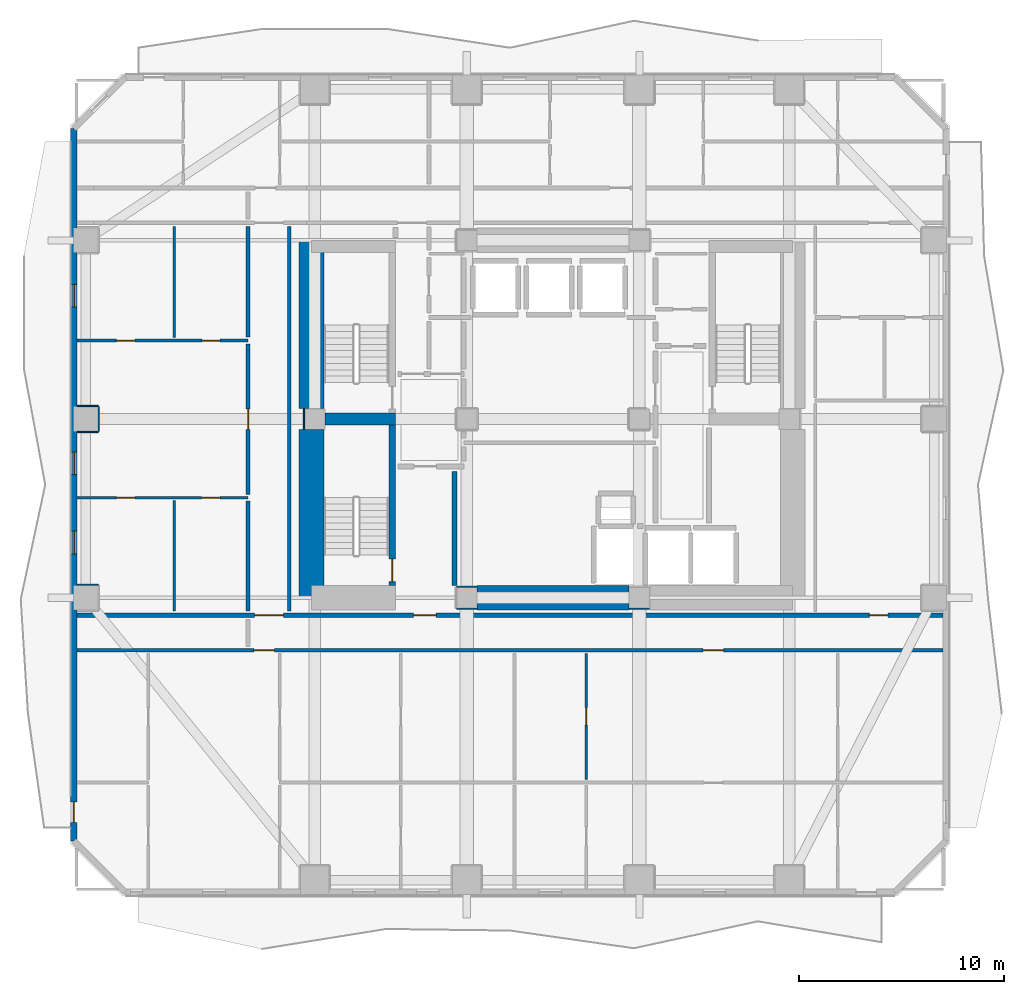
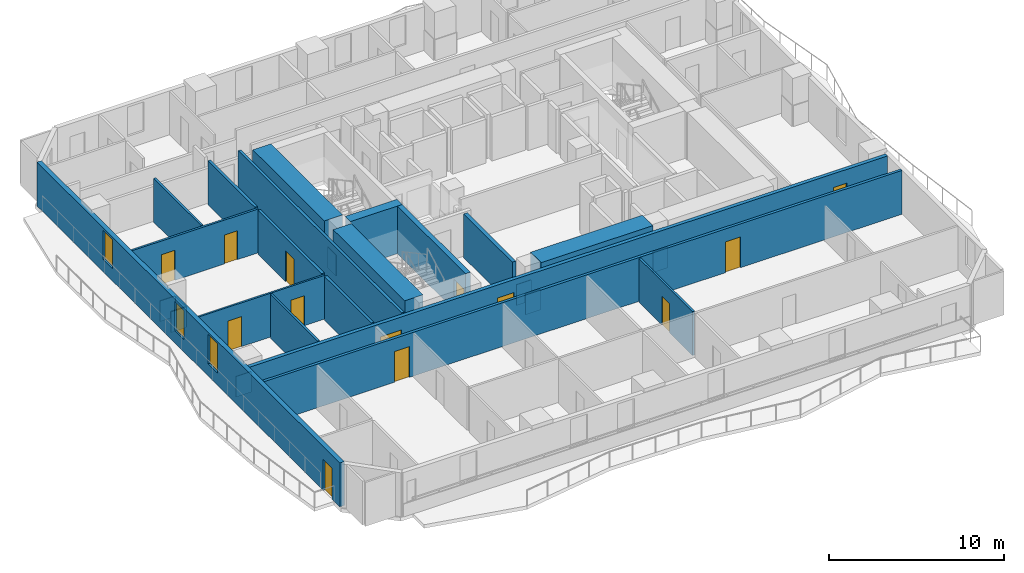
# One storey, part 3 of 11: 26 walls, 13 doors, 3 windows, 16 openings.
"""IFC4 building model written with IfcOpenShell, lengths in metres."""

from ifc_helpers import new_model, si_unit, direction, frame, frame_2d, origin, place, context, subcontext, project, spatial, rectangle, extrude, material, layer, layer_set, type_object, element, fill, save


model = new_model("IFC4")

# Units and contexts
model_context = context("Model", 3, precision=1e-05, world=origin(), true_north=direction((0.0, 1.0)))
body_context = subcontext(model_context, "Body", "Model", "MODEL_VIEW")
ifc_project = project(units=[si_unit("LENGTHUNIT", "METRE"), si_unit("AREAUNIT", "SQUARE_METRE"), si_unit("VOLUMEUNIT", "CUBIC_METRE"), si_unit("PLANEANGLEUNIT", "RADIAN"), si_unit("MASSUNIT", "GRAM", prefix="KILO")], contexts=[model_context])

# Site, building, storey
site_placement = place(None, origin())
site = spatial("IfcSite", under=ifc_project, at=site_placement, CompositionType="ELEMENT")
building_placement = place(site_placement, origin())
building = spatial("IfcBuilding", under=site, at=building_placement, Name="Solanera Arch Residences", CompositionType="ELEMENT")
storey_placement = place(building_placement, frame((0.0, 0.0, 35.280029296875)))
storey = spatial("IfcBuildingStorey", under=building, at=storey_placement, Name="L09", CompositionType="ELEMENT", Elevation=35.280029296875)

# Walls
ifc_material_1 = material(Name="Fire-Rated Gypsum Stud Partition", Category="gypsum")
ifc_layer_1 = layer(ifc_material_1, 0.06005859375)
ifc_layer_set_1 = layer_set([ifc_layer_1], Name="Fire-Rated Gypsum Stud Partition")
wall_type_1 = type_object("IfcWallType", Name="Column Acoustic Furring Wall 60", PredefinedType="PARTITIONING", material=ifc_layer_set_1)
for number, where, z_axis, x_axis, name in (
    (1, (20.300048828125, 21.468017578125, 0.0), (0.0, 0.0, 1.0), (1.0, 0.0, 0.0), "L09 Column Furring 1S"),
    (2, (20.300048828125, 22.531982421875, 0.0), (0.0, 0.0, 1.0), (1.0, 0.0, 0.0), "L09 Column Furring 1N"),
):
    element("IfcWall", number, at=place(storey_placement, frame(where, z_axis=z_axis, x_axis=x_axis)), inside=storey, type_object=wall_type_1, Name=name, PredefinedType="PARTITIONING", context=body_context, shape_type="SweptSolid", body=[
        extrude(rectangle(XDim=0.989990234375, YDim=0.06005859375, at=frame_2d((0.4951171875, 0.0))), origin(), (0.0, 0.0, 1.0), 1.449951171875),
    ])
for number, where, z_axis, x_axis, name in (
    (3, (28.7099609375, 21.468017578125, 0.0), (0.0, 0.0, 1.0), (1.0, 0.0, 0.0), "L09 Column Furring 2S"),
    (4, (12.867919921875, 30.2099609375, 0.0), (0.0, 0.0, 1.0), (0.0, 1.0, 0.0), "L09 Column Furring 5W"),
):
    element("IfcWall", number, at=place(storey_placement, frame(where, z_axis=z_axis, x_axis=x_axis)), inside=storey, type_object=wall_type_1, Name=name, PredefinedType="PARTITIONING", context=body_context, shape_type="SweptSolid", body=[
        extrude(rectangle(XDim=0.97998046875, YDim=0.06005859375, at=frame_2d((0.489990234375, 0.0))), origin(), (0.0, 0.0, 1.0), 1.449951171875),
    ])
for number, where, z_axis, x_axis, name in (
    (5, (1.830078125, 22.632080078125, 0.0), (0.0, 0.0, 1.0), (1.0, 0.0, 0.0), "L09 Column Furring 17N"),
    (6, (1.830078125, 30.068115234375, 0.0), (0.0, 0.0, 1.0), (1.0, 0.0, 0.0), "L09 Column Furring 19S"),
    (7, (1.830078125, 31.33203125, 0.0), (0.0, 0.0, 1.0), (1.0, 0.0, 0.0), "L09 Column Furring 19N"),
):
    element("IfcWall", number, at=place(storey_placement, frame(where, z_axis=z_axis, x_axis=x_axis)), inside=storey, type_object=wall_type_1, Name=name, PredefinedType="PARTITIONING", context=body_context, shape_type="SweptSolid", body=[
        extrude(rectangle(XDim=1.02001953125, YDim=0.06005859375, at=frame_2d((0.510009765625, 0.0))), origin(), (0.0, 0.0, 1.0), 1.449951171875),
    ])
wall_1_placement = place(storey_placement, frame((2.882080078125, 30.10009765625, 0.0), z_axis=(0.0, 0.0, 1.0), x_axis=(0.0, 1.0, 0.0)))
element("IfcWall", 8, at=wall_1_placement, inside=storey, type_object=wall_type_1, Name="L09 Column Furring 19E", PredefinedType="PARTITIONING", context=body_context, shape_type="SweptSolid", body=[
    extrude(rectangle(XDim=1.199951171875, YDim=0.06005859375, at=frame_2d((0.60009765625, 0.0))), origin(), (0.0, 0.0, 1.0), 1.449951171875),
])
ifc_material_2 = material(Name="Concrete C55/67 (f'c = 60 MPa)", Category="concrete")
ifc_layer_2 = layer(ifc_material_2, 1.199951171875)
ifc_layer_set_2 = layer_set([ifc_layer_2], Name="Concrete C55/67 (f'c = 60 MPa)")
wall_type_2 = type_object("IfcWallType", Name="Core Shear Wall CW-1200", PredefinedType="SHEAR", material=ifc_layer_set_2)
wall_2_placement = place(storey_placement, frame((13.239990234375, 22.0, 0.0), z_axis=(0.0, 0.0, 1.0), x_axis=(0.0, 1.0, 0.0)))
element("IfcWall", 9, at=wall_2_placement, inside=storey, type_object=wall_type_2, Name="L09 West Core South Shear Wall", PredefinedType="SHEAR", context=body_context, shape_type="SweptSolid", body=[
    extrude(rectangle(XDim=8.195068359375, YDim=1.199951171875, at=frame_2d((4.09765625, 0.0))), origin(), (0.0, 0.0, 1.0), 3.320068359375),
])
wall_3_placement = place(storey_placement, frame((13.239990234375, 31.205078125, 0.0), z_axis=(0.0, 0.0, 1.0), x_axis=(0.0, 1.0, 0.0)))
element("IfcWall", 10, at=wall_3_placement, inside=storey, type_object=wall_type_2, Name="L09 West Core North Shear Wall", PredefinedType="SHEAR", context=body_context, shape_type="SweptSolid", body=[
    extrude(rectangle(XDim=8.19482421875, YDim=1.199951171875, at=frame_2d((4.097412109375, 0.0))), origin(), (0.0, 0.0, 1.0), 3.320068359375),
])
wall_4_placement = place(storey_placement, frame((21.304931640625, 22.0, 0.0), z_axis=(0.0, 0.0, 1.0), x_axis=(1.0, 0.0, 0.0)))
element("IfcWall", 11, at=wall_4_placement, inside=storey, type_object=wall_type_2, Name="L09 Central South Core Shear Wall", PredefinedType="SHEAR", context=body_context, shape_type="SweptSolid", body=[
    extrude(rectangle(XDim=7.39013671875, YDim=1.199951171875, at=frame_2d((3.695068359375, 0.0))), origin(), (0.0, 0.0, 1.0), 3.320068359375),
])

# Wall, opening, door
ifc_material_3 = material(Name="Concrete C40/50 (f'c = 45 MPa)", Category="concrete")
ifc_layer_3 = layer(ifc_material_3, 0.320068359375)
ifc_layer_set_3 = layer_set([ifc_layer_3], Name="Concrete C40/50 (f'c = 45 MPa)")
wall_type_3 = type_object("IfcWallType", Name="Core Shear Wall CW-320", PredefinedType="SHEAR", material=ifc_layer_set_3)
wall_5_placement = place(storey_placement, frame((17.159912109375, 22.60009765625, 0.0), z_axis=(0.0, 0.0, 1.0), x_axis=(0.0, 1.0, 0.0)))
wall_5 = element("IfcWall", 12, at=wall_5_placement, inside=storey, type_object=wall_type_3, Name="L09 Stair ST-T3 East Shear Wall", PredefinedType="SHEAR", context=body_context, shape_type="SweptSolid", body=[
    extrude(rectangle(XDim=7.7998046875, YDim=0.320068359375, at=frame_2d((3.89990234375, 0.0))), origin(), (0.0, 0.0, 1.0), 3.320068359375),
])
opening_1_placement = place(wall_5_placement, frame((0.18994140625, 0.0, 0.0)))
opening_1 = element("IfcOpeningElement", 13, at=opening_1_placement, cuts=wall_5, Name="Opening DF-01", PredefinedType="OPENING", context=body_context, shape_type="SweptSolid", body=[
    extrude(rectangle(XDim=1.10009765625, YDim=2.14990234375, at=frame_2d((0.550048828125, 1.074951171875))), frame((0.0, 0.169921875, 0.0), z_axis=(0.0, -1.0, 0.0), x_axis=(1.0, 0.0, 0.0)), (0.0, 0.0, 1.0), 0.3401),
])
ifc_material_4 = material(Name="Fire-Rated Architectural Hardwood", Category="wood")
door_type_1 = type_object("IfcDoorType", Name="Stair Exit Fire Door DF-01", OperationType="NOTDEFINED", PredefinedType="DOOR", material=ifc_material_4)
door_1_placement = place(opening_1_placement, origin())
door_1 = element("IfcDoor", 14, at=door_1_placement, inside=storey, type_object=door_type_1, Name="DR-L09-STAIR-ST-T3", OperationType="SINGLE_SWING_RIGHT", OverallHeight=2.14990234375, OverallWidth=1.10009765625, PredefinedType="DOOR", context=body_context, shape_type="SweptSolid", body=[
    extrude(rectangle(XDim=1.10009765625, YDim=2.14990234375, at=frame_2d((0.550048828125, 1.074951171875))), frame((0.0, 0.02490234375, 0.0), z_axis=(0.0, -1.0, 0.0), x_axis=(1.0, 0.0, 0.0)), (0.0, 0.0, 1.0), 0.050048828125),
])
fill(opening_1, door_1)

# Wall
ifc_material_5 = material(Name="Concrete C40/50 (f'c = 45 MPa)", Category="concrete")
ifc_layer_4 = layer(ifc_material_5, 0.60009765625)
ifc_layer_set_4 = layer_set([ifc_layer_4], Name="Concrete C40/50 (f'c = 45 MPa)")
wall_type_4 = type_object("IfcWallType", Name="Core Shear Wall CW-600", PredefinedType="SHEAR", material=ifc_layer_set_4)
wall_6_placement = place(storey_placement, frame((13.905029296875, 30.699951171875, 0.0), z_axis=(0.0, 0.0, 1.0), x_axis=(1.0, 0.0, 0.0)))
element("IfcWall", 15, at=wall_6_placement, inside=storey, type_object=wall_type_4, Name="L09 West Stair Divider Shear Wall", PredefinedType="SHEAR", context=body_context, shape_type="SweptSolid", body=[
    extrude(rectangle(XDim=3.4150390625, YDim=0.60009765625, at=frame_2d((1.70751953125, 0.0))), origin(), (0.0, 0.0, 1.0), 3.320068359375),
])

# Wall, openings, doors
ifc_material_6 = material(Name="Autoclaved Aerated Concrete Blockwork", Category="masonry")
ifc_layer_5 = layer(ifc_material_6, 0.179931640625)
ifc_layer_set_5 = layer_set([ifc_layer_5], Name="Autoclaved Aerated Concrete Blockwork")
wall_type_5 = type_object("IfcWallType", Name="Corridor Fire Partition 180", PredefinedType="PARTITIONING", material=ifc_layer_set_5)
wall_7_placement = place(storey_placement, frame((1.826904296875, 19.449951171875, 0.0), z_axis=(0.0, 0.0, 1.0), x_axis=(1.0, 0.0, 0.0)))
wall_7 = element("IfcWall", 16, at=wall_7_placement, inside=storey, type_object=wall_type_5, Name="L09 Interior Partition H8", PredefinedType="PARTITIONING", context=body_context, shape_type="SweptSolid", body=[
    extrude(rectangle(XDim=42.14599609375, YDim=0.179931640625, at=frame_2d((21.072998046875, 0.0))), origin(), (0.0, 0.0, 1.0), 3.06005859375),
])
opening_2_placement = place(wall_7_placement, frame((8.60205078125, 0.0, 0.0)))
opening_2 = element("IfcOpeningElement", 17, at=opening_2_placement, cuts=wall_7, Name="Opening DI-01", PredefinedType="OPENING", context=body_context, shape_type="SweptSolid", body=[
    extrude(rectangle(XDim=1.0, YDim=2.14990234375, at=frame_2d((0.5, 1.074951171875))), frame((0.0, 0.10009765625, 0.0), z_axis=(0.0, -1.0, 0.0), x_axis=(1.0, 0.0, 0.0)), (0.0, 0.0, 1.0), 0.1999),
])
opening_3_placement = place(wall_7_placement, frame((30.47509765625, 0.0, 0.0)))
opening_3 = element("IfcOpeningElement", 18, at=opening_3_placement, cuts=wall_7, Name="Opening DI-01", PredefinedType="OPENING", context=body_context, shape_type="SweptSolid", body=[
    extrude(rectangle(XDim=1.0, YDim=2.14990234375, at=frame_2d((0.5, 1.074951171875))), frame((0.0, 0.10009765625, 0.0), z_axis=(0.0, -1.0, 0.0), x_axis=(1.0, 0.0, 0.0)), (0.0, 0.0, 1.0), 0.1999),
])
ifc_material_7 = material(Name="Fire-Rated Architectural Hardwood", Category="wood")
door_type_2 = type_object("IfcDoorType", Name="Unit Entrance Fire Door DI-01", OperationType="NOTDEFINED", PredefinedType="DOOR", material=ifc_material_7)
door_2_placement = place(opening_2_placement, origin())
door_2 = element("IfcDoor", 19, at=door_2_placement, inside=storey, type_object=door_type_2, Name="DR-L09-IN-015", OperationType="SINGLE_SWING_RIGHT", OverallHeight=2.14990234375, OverallWidth=1.0, PredefinedType="DOOR", context=body_context, shape_type="SweptSolid", body=[
    extrude(rectangle(XDim=1.0, YDim=2.14990234375, at=frame_2d((0.5, 1.074951171875))), frame((0.0, 0.02490234375, 0.0), z_axis=(0.0, -1.0, 0.0), x_axis=(1.0, 0.0, 0.0)), (0.0, 0.0, 1.0), 0.050048828125),
])
fill(opening_2, door_2)
door_3_placement = place(opening_3_placement, origin())
door_3 = element("IfcDoor", 20, at=door_3_placement, inside=storey, type_object=door_type_2, Name="DR-L09-IN-022", OperationType="SINGLE_SWING_LEFT", OverallHeight=2.14990234375, OverallWidth=1.0, PredefinedType="DOOR", context=body_context, shape_type="SweptSolid", body=[
    extrude(rectangle(XDim=1.0, YDim=2.14990234375, at=frame_2d((0.5, 1.074951171875))), frame((0.0, 0.02490234375, 0.0), z_axis=(0.0, -1.0, 0.0), x_axis=(1.0, 0.0, 0.0)), (0.0, 0.0, 1.0), 0.050048828125),
])
fill(opening_3, door_3)

# Wall
wall_8_placement = place(storey_placement, frame((10.14990234375, 21.367919921875, 0.0), z_axis=(0.0, 0.0, 1.0), x_axis=(0.0, 1.0, 0.0)))
element("IfcWall", 21, at=wall_8_placement, inside=storey, type_object=wall_type_5, Name="L09 Interior Partition V8 2", PredefinedType="PARTITIONING", context=body_context, shape_type="SweptSolid", body=[
    extrude(rectangle(XDim=5.35400390625, YDim=0.179931640625, at=frame_2d((2.677001953125, 0.0))), origin(), (0.0, 0.0, 1.0), 3.06005859375),
])

# Wall, opening, door
wall_9_placement = place(storey_placement, frame((10.14990234375, 27.0380859375, 0.0), z_axis=(0.0, 0.0, 1.0), x_axis=(0.0, 1.0, 0.0)))
wall_9 = element("IfcWall", 22, at=wall_9_placement, inside=storey, type_object=wall_type_5, Name="L09 Interior Partition V8 3", PredefinedType="PARTITIONING", context=body_context, shape_type="SweptSolid", body=[
    extrude(rectangle(XDim=7.31396484375, YDim=0.179931640625, at=frame_2d((3.656982421875, 0.0))), origin(), (0.0, 0.0, 1.0), 3.06005859375),
])
opening_4_placement = place(wall_9_placement, frame((3.162109375, 0.0, 0.0)))
opening_4 = element("IfcOpeningElement", 23, at=opening_4_placement, cuts=wall_9, Name="Opening DI-01", PredefinedType="OPENING", context=body_context, shape_type="SweptSolid", body=[
    extrude(rectangle(XDim=1.0, YDim=2.14990234375, at=frame_2d((0.5, 1.074951171875))), frame((0.0, 0.10009765625, 0.0), z_axis=(0.0, -1.0, 0.0), x_axis=(1.0, 0.0, 0.0)), (0.0, 0.0, 1.0), 0.1999),
])
door_4_placement = place(opening_4_placement, origin())
door_4 = element("IfcDoor", 24, at=door_4_placement, inside=storey, type_object=door_type_2, Name="DR-L09-IN-040", OperationType="SINGLE_SWING_LEFT", OverallHeight=2.14990234375, OverallWidth=1.0, PredefinedType="DOOR", context=body_context, shape_type="SweptSolid", body=[
    extrude(rectangle(XDim=1.0, YDim=2.14990234375, at=frame_2d((0.5, 1.074951171875))), frame((0.0, 0.02490234375, 0.0), z_axis=(0.0, -1.0, 0.0), x_axis=(1.0, 0.0, 0.0)), (0.0, 0.0, 1.0), 0.050048828125),
])
fill(opening_4, door_4)

# Walls
wall_10_placement = place(storey_placement, frame((10.14990234375, 34.68798828125, 0.0), z_axis=(0.0, 0.0, 1.0), x_axis=(0.0, 1.0, 0.0)))
element("IfcWall", 25, at=wall_10_placement, inside=storey, type_object=wall_type_5, Name="L09 Interior Partition V8 4", PredefinedType="PARTITIONING", context=body_context, shape_type="SweptSolid", body=[
    extrude(rectangle(XDim=5.3740234375, YDim=0.179931640625, at=frame_2d((2.68701171875, 0.0))), origin(), (0.0, 0.0, 1.0), 3.06005859375),
])
wall_11_placement = place(storey_placement, frame((12.14990234375, 21.367919921875, 0.0), z_axis=(0.0, 0.0, 1.0), x_axis=(0.0, 1.0, 0.0)))
element("IfcWall", 26, at=wall_11_placement, inside=storey, type_object=wall_type_5, Name="L09 Interior Partition V9", PredefinedType="PARTITIONING", context=body_context, shape_type="SweptSolid", body=[
    extrude(rectangle(XDim=18.694091796875, YDim=0.179931640625, at=frame_2d((9.34716796875, 0.0))), origin(), (0.0, 0.0, 1.0), 3.06005859375),
])

# Wall, openings, door, windows
ifc_material_8 = material(Name="Precast Concrete C35/45", Category="concrete")
ifc_layer_6 = layer(ifc_material_8, 0.300048828125)
ifc_layer_set_6 = layer_set([ifc_layer_6], Name="Precast Concrete C35/45")
wall_type_6 = type_object("IfcWallType", Name="Exterior Wall Precast Masonry-Frame 300", PredefinedType="STANDARD", material=ifc_layer_set_6)
wall_12_placement = place(storey_placement, frame((1.6650390625, 10.1650390625, 0.0), z_axis=(0.0, 0.0, 1.0), x_axis=(0.0, 1.0, 0.0)))
wall_12 = element("IfcWall", 27, at=wall_12_placement, inside=storey, type_object=wall_type_6, Name="L09 Tower Exterior Precast Masonry-Frame Wall W", PredefinedType="STANDARD", context=body_context, shape_type="SweptSolid", body=[
    extrude(rectangle(XDim=34.669921875, YDim=0.300048828125, at=frame_2d((17.3349609375, 0.0))), origin(), (0.0, 0.0, 1.0), 3.06005859375),
])
opening_5_placement = place(wall_12_placement, frame((0.90087890625, 0.0, 0.0)))
opening_5 = element("IfcOpeningElement", 28, at=opening_5_placement, cuts=wall_12, Name="Opening DB-01", PredefinedType="OPENING", context=body_context, shape_type="SweptSolid", body=[
    extrude(rectangle(XDim=1.0, YDim=2.14990234375, at=frame_2d((0.5, 1.074951171875))), frame((0.0, 0.159912109375, 0.0), z_axis=(0.0, -1.0, 0.0), x_axis=(1.0, 0.0, 0.0)), (0.0, 0.0, 1.0), 0.32),
])
opening_6_placement = place(wall_12_placement, frame((17.824951171875, 0.0, 0.85009765625)))
opening_6 = element("IfcOpeningElement", 29, at=opening_6_placement, cuts=wall_12, Name="Opening W-11", PredefinedType="OPENING", context=body_context, shape_type="SweptSolid", body=[
    extrude(rectangle(XDim=1.10009765625, YDim=2.050048828125, at=frame_2d((0.550048828125, 1.02490234375))), frame((0.0, 0.159912109375, 0.0), z_axis=(0.0, -1.0, 0.0), x_axis=(1.0, 0.0, 0.0)), (0.0, 0.0, 1.0), 0.32),
])
opening_7_placement = place(wall_12_placement, frame((13.97509765625, 0.0, 0.85009765625)))
opening_7 = element("IfcOpeningElement", 30, at=opening_7_placement, cuts=wall_12, Name="Opening W-11", PredefinedType="OPENING", context=body_context, shape_type="SweptSolid", body=[
    extrude(rectangle(XDim=1.10009765625, YDim=2.050048828125, at=frame_2d((0.550048828125, 1.02490234375))), frame((0.0, 0.159912109375, 0.0), z_axis=(0.0, -1.0, 0.0), x_axis=(1.0, 0.0, 0.0)), (0.0, 0.0, 1.0), 0.32),
])
opening_8_placement = place(wall_12_placement, frame((25.9951171875, 0.0, 0.85009765625)))
opening_8 = element("IfcOpeningElement", 31, at=opening_8_placement, cuts=wall_12, Name="Opening W-11", PredefinedType="OPENING", context=body_context, shape_type="SweptSolid", body=[
    extrude(rectangle(XDim=1.10009765625, YDim=2.050048828125, at=frame_2d((0.550048828125, 1.02490234375))), frame((0.0, 0.159912109375, 0.0), z_axis=(0.0, -1.0, 0.0), x_axis=(1.0, 0.0, 0.0)), (0.0, 0.0, 1.0), 0.32),
])
ifc_material_9 = material(Name="Anodised Aluminium Alloy 6063-T6", Category="aluminium")
door_type_3 = type_object("IfcDoorType", Name="Glazed Balcony Swing Door DB-01", OperationType="NOTDEFINED", PredefinedType="DOOR", material=ifc_material_9)
door_5_placement = place(opening_5_placement, origin())
door_5 = element("IfcDoor", 32, at=door_5_placement, inside=storey, type_object=door_type_3, Name="DR-L09-OUT-04", OperationType="SINGLE_SWING_RIGHT", OverallHeight=2.14990234375, OverallWidth=1.0, PredefinedType="DOOR", context=body_context, shape_type="SweptSolid", body=[
    extrude(rectangle(XDim=1.0, YDim=2.14990234375, at=frame_2d((0.5, 1.074951171875))), frame((0.0, 0.02490234375, 0.0), z_axis=(0.0, -1.0, 0.0), x_axis=(1.0, 0.0, 0.0)), (0.0, 0.0, 1.0), 0.050048828125),
])
fill(opening_5, door_5)
ifc_material_10 = material(Name="Double Glazed Low-E Laminated Glass", Category="glass")
window_type = type_object("IfcWindowType", Name="Punched Window W-11", PartitioningType="SINGLE_PANEL", PredefinedType="WINDOW", material=ifc_material_10)
window_1_placement = place(opening_6_placement, origin())
window_1 = element("IfcWindow", 33, at=window_1_placement, inside=storey, type_object=window_type, Name="L09 0905-LIV Punched Window", OverallHeight=2.050048828125, OverallWidth=1.10009765625, PartitioningType="SINGLE_PANEL", PredefinedType="WINDOW", context=body_context, shape_type="SweptSolid", body=[
    extrude(rectangle(XDim=1.10009765625, YDim=2.050048828125, at=frame_2d((0.550048828125, 1.02490234375))), frame((0.0, 0.030029296875, 0.0), z_axis=(0.0, -1.0, 0.0), x_axis=(1.0, 0.0, 0.0)), (0.0, 0.0, 1.0), 0.06005859375),
])
fill(opening_6, window_1)
window_2_placement = place(opening_7_placement, origin())
window_2 = element("IfcWindow", 34, at=window_2_placement, inside=storey, type_object=window_type, Name="L09 0905-BR2 Punched Window", OverallHeight=2.050048828125, OverallWidth=1.10009765625, PartitioningType="SINGLE_PANEL", PredefinedType="WINDOW", context=body_context, shape_type="SweptSolid", body=[
    extrude(rectangle(XDim=1.10009765625, YDim=2.050048828125, at=frame_2d((0.550048828125, 1.02490234375))), frame((0.0, 0.030029296875, 0.0), z_axis=(0.0, -1.0, 0.0), x_axis=(1.0, 0.0, 0.0)), (0.0, 0.0, 1.0), 0.06005859375),
])
fill(opening_7, window_2)
window_3_placement = place(opening_8_placement, origin())
window_3 = element("IfcWindow", 35, at=window_3_placement, inside=storey, type_object=window_type, Name="L09 0905-BR1 Punched Window", OverallHeight=2.050048828125, OverallWidth=1.10009765625, PartitioningType="SINGLE_PANEL", PredefinedType="WINDOW", context=body_context, shape_type="SweptSolid", body=[
    extrude(rectangle(XDim=1.10009765625, YDim=2.050048828125, at=frame_2d((0.550048828125, 1.02490234375))), frame((0.0, 0.030029296875, 0.0), z_axis=(0.0, -1.0, 0.0), x_axis=(1.0, 0.0, 0.0)), (0.0, 0.0, 1.0), 0.06005859375),
])
fill(opening_8, window_3)

# Wall, openings, doors
ifc_material_11 = material(Name="Autoclaved Aerated Concrete Blockwork", Category="masonry")
ifc_layer_7 = layer(ifc_material_11, 0.239990234375)
ifc_layer_set_7 = layer_set([ifc_layer_7], Name="Autoclaved Aerated Concrete Blockwork")
wall_type_7 = type_object("IfcWallType", Name="Shaft Wall Fire-Rated 240", PredefinedType="PARTITIONING", material=ifc_layer_set_7)
wall_13_placement = place(storey_placement, frame((1.826904296875, 21.14990234375, 0.0), z_axis=(0.0, 0.0, 1.0), x_axis=(1.0, 0.0, 0.0)))
wall_13 = element("IfcWall", 36, at=wall_13_placement, inside=storey, type_object=wall_type_7, Name="L09 Interior Partition H1", PredefinedType="PARTITIONING", context=body_context, shape_type="SweptSolid", body=[
    extrude(rectangle(XDim=42.14599609375, YDim=0.239990234375, at=frame_2d((21.072998046875, 0.0))), origin(), (0.0, 0.0, 1.0), 3.06005859375),
])
opening_9_placement = place(wall_13_placement, frame((16.383056640625, 0.0, 0.0)))
opening_9 = element("IfcOpeningElement", 37, at=opening_9_placement, cuts=wall_13, Name="Opening DF-02", PredefinedType="OPENING", context=body_context, shape_type="SweptSolid", body=[
    extrude(rectangle(XDim=1.10009765625, YDim=2.14990234375, at=frame_2d((0.550048828125, 1.074951171875))), frame((0.0, 0.1298828125, 0.0), z_axis=(0.0, -1.0, 0.0), x_axis=(1.0, 0.0, 0.0)), (0.0, 0.0, 1.0), 0.26),
])
opening_10_placement = place(wall_13_placement, frame((8.64697265625, 0.0, 0.0)))
opening_10 = element("IfcOpeningElement", 38, at=opening_10_placement, cuts=wall_13, Name="Opening DF-03", PredefinedType="OPENING", context=body_context, shape_type="SweptSolid", body=[
    extrude(rectangle(XDim=1.39990234375, YDim=2.14990234375, at=frame_2d((0.699951171875, 1.074951171875))), frame((0.0, 0.1298828125, 0.0), z_axis=(0.0, -1.0, 0.0), x_axis=(1.0, 0.0, 0.0)), (0.0, 0.0, 1.0), 0.26),
])
opening_11_placement = place(wall_13_placement, frame((38.573974609375, 0.0, 0.0)))
opening_11 = element("IfcOpeningElement", 39, at=opening_11_placement, cuts=wall_13, Name="Opening DI-02", PredefinedType="OPENING", context=body_context, shape_type="SweptSolid", body=[
    extrude(rectangle(XDim=0.89990234375, YDim=2.10009765625, at=frame_2d((0.449951171875, 1.050048828125))), frame((0.0, 0.1298828125, 0.0), z_axis=(0.0, -1.0, 0.0), x_axis=(1.0, 0.0, 0.0)), (0.0, 0.0, 1.0), 0.26),
])
ifc_material_12 = material(Name="Fire-Rated Architectural Hardwood", Category="wood")
door_type_4 = type_object("IfcDoorType", Name="Corridor Smoke Door DF-03", OperationType="NOTDEFINED", PredefinedType="DOOR", material=ifc_material_12)
door_6_placement = place(opening_10_placement, origin())
door_6 = element("IfcDoor", 40, at=door_6_placement, inside=storey, type_object=door_type_4, Name="DR-L09-IN-010", OperationType="SINGLE_SWING_LEFT", OverallHeight=2.14990234375, OverallWidth=1.39990234375, PredefinedType="DOOR", context=body_context, shape_type="SweptSolid", body=[
    extrude(rectangle(XDim=1.39990234375, YDim=2.14990234375, at=frame_2d((0.699951171875, 1.074951171875))), frame((0.0, 0.02490234375, 0.0), z_axis=(0.0, -1.0, 0.0), x_axis=(1.0, 0.0, 0.0)), (0.0, 0.0, 1.0), 0.050048828125),
])
fill(opening_10, door_6)
ifc_material_13 = material(Name="Fire-Rated Architectural Hardwood", Category="wood")
door_type_5 = type_object("IfcDoorType", Name="Firefighting Lobby Fire Door DF-02", OperationType="NOTDEFINED", PredefinedType="DOOR", material=ifc_material_13)
door_7_placement = place(opening_9_placement, origin())
door_7 = element("IfcDoor", 41, at=door_7_placement, inside=storey, type_object=door_type_5, Name="DR-L09-IN-008", OperationType="SINGLE_SWING_LEFT", OverallHeight=2.14990234375, OverallWidth=1.10009765625, PredefinedType="DOOR", context=body_context, shape_type="SweptSolid", body=[
    extrude(rectangle(XDim=1.10009765625, YDim=2.14990234375, at=frame_2d((0.550048828125, 1.074951171875))), frame((0.0, 0.02490234375, 0.0), z_axis=(0.0, -1.0, 0.0), x_axis=(1.0, 0.0, 0.0)), (0.0, 0.0, 1.0), 0.050048828125),
])
fill(opening_9, door_7)
ifc_material_14 = material(Name="Fire-Rated Architectural Hardwood", Category="wood")
door_type_6 = type_object("IfcDoorType", Name="Suite Room Swing Door DI-02", OperationType="NOTDEFINED", PredefinedType="DOOR", material=ifc_material_14)
door_8_placement = place(opening_11_placement, origin())
door_8 = element("IfcDoor", 42, at=door_8_placement, inside=storey, type_object=door_type_6, Name="DR-L09-IN-045", OperationType="SINGLE_SWING_RIGHT", OverallHeight=2.10009765625, OverallWidth=0.89990234375, PredefinedType="DOOR", context=body_context, shape_type="SweptSolid", body=[
    extrude(rectangle(XDim=0.89990234375, YDim=2.10009765625, at=frame_2d((0.449951171875, 1.050048828125))), frame((0.0, 0.02490234375, 0.0), z_axis=(0.0, -1.0, 0.0), x_axis=(1.0, 0.0, 0.0)), (0.0, 0.0, 1.0), 0.050048828125),
])
fill(opening_11, door_8)

# Wall
wall_14_placement = place(storey_placement, frame((20.199951171875, 22.5859375, 0.0), z_axis=(0.0, 0.0, 1.0), x_axis=(0.0, 1.0, 0.0)))
element("IfcWall", 43, at=wall_14_placement, inside=storey, type_object=wall_type_7, Name="L09 Interior Partition V2", PredefinedType="PARTITIONING", context=body_context, shape_type="SweptSolid", body=[
    extrude(rectangle(XDim=5.566162109375, YDim=0.239990234375, at=frame_2d((2.783203125, 0.0))), origin(), (0.0, 0.0, 1.0), 3.06005859375),
])

# Wall, openings, doors
ifc_material_15 = material(Name="Fire-Rated Gypsum Stud Partition", Category="gypsum")
ifc_layer_8 = layer(ifc_material_15, 0.1201171875)
ifc_layer_set_8 = layer_set([ifc_layer_8], Name="Fire-Rated Gypsum Stud Partition")
wall_type_8 = type_object("IfcWallType", Name="Unit Drywall Partition 120", PredefinedType="PARTITIONING", material=ifc_layer_set_8)
wall_15_placement = place(storey_placement, frame((1.826904296875, 26.8798828125, 0.0), z_axis=(0.0, 0.0, 1.0), x_axis=(1.0, 0.0, 0.0)))
wall_15 = element("IfcWall", 44, at=wall_15_placement, inside=storey, type_object=wall_type_8, Name="L09 Interior Partition H23", PredefinedType="PARTITIONING", context=body_context, shape_type="SweptSolid", body=[
    extrude(rectangle(XDim=8.322998046875, YDim=0.1201171875, at=frame_2d((4.16162109375, 0.0))), origin(), (0.0, 0.0, 1.0), 3.06005859375),
])
opening_12_placement = place(wall_15_placement, frame((6.06494140625, 0.0, 0.0)))
opening_12 = element("IfcOpeningElement", 45, at=opening_12_placement, cuts=wall_15, Name="Opening DI-02", PredefinedType="OPENING", context=body_context, shape_type="SweptSolid", body=[
    extrude(rectangle(XDim=0.89990234375, YDim=2.10009765625, at=frame_2d((0.449951171875, 1.050048828125))), frame((0.0, 0.070068359375, 0.0), z_axis=(0.0, -1.0, 0.0), x_axis=(1.0, 0.0, 0.0)), (0.0, 0.0, 1.0), 0.1401),
])
opening_13_placement = place(wall_15_placement, frame((1.9150390625, 0.0, 0.0)))
opening_13 = element("IfcOpeningElement", 46, at=opening_13_placement, cuts=wall_15, Name="Opening DI-03", PredefinedType="OPENING", context=body_context, shape_type="SweptSolid", body=[
    extrude(rectangle(XDim=0.89990234375, YDim=2.10009765625, at=frame_2d((0.449951171875, 1.050048828125))), frame((0.0, 0.070068359375, 0.0), z_axis=(0.0, -1.0, 0.0), x_axis=(1.0, 0.0, 0.0)), (0.0, 0.0, 1.0), 0.1401),
])
ifc_material_16 = material(Name="Fire-Rated Architectural Hardwood", Category="wood")
door_type_7 = type_object("IfcDoorType", Name="Bedroom Swing Door DI-03", OperationType="NOTDEFINED", PredefinedType="DOOR", material=ifc_material_16)
door_9_placement = place(opening_13_placement, origin())
door_9 = element("IfcDoor", 47, at=door_9_placement, inside=storey, type_object=door_type_7, Name="DR-L09-IN-042", OperationType="SINGLE_SWING_LEFT", OverallHeight=2.10009765625, OverallWidth=0.89990234375, PredefinedType="DOOR", context=body_context, shape_type="SweptSolid", body=[
    extrude(rectangle(XDim=0.89990234375, YDim=2.10009765625, at=frame_2d((0.449951171875, 1.050048828125))), frame((0.0, 0.02490234375, 0.0), z_axis=(0.0, -1.0, 0.0), x_axis=(1.0, 0.0, 0.0)), (0.0, 0.0, 1.0), 0.050048828125),
])
fill(opening_13, door_9)
door_10_placement = place(opening_12_placement, origin())
door_10 = element("IfcDoor", 48, at=door_10_placement, inside=storey, type_object=door_type_6, Name="DR-L09-IN-041", OperationType="SINGLE_SWING_RIGHT", OverallHeight=2.10009765625, OverallWidth=0.89990234375, PredefinedType="DOOR", context=body_context, shape_type="SweptSolid", body=[
    extrude(rectangle(XDim=0.89990234375, YDim=2.10009765625, at=frame_2d((0.449951171875, 1.050048828125))), frame((0.0, 0.02490234375, 0.0), z_axis=(0.0, -1.0, 0.0), x_axis=(1.0, 0.0, 0.0)), (0.0, 0.0, 1.0), 0.050048828125),
])
fill(opening_12, door_10)

ifc_material_17 = material(Name="Autoclaved Aerated Concrete Blockwork", Category="masonry")
ifc_layer_9 = layer(ifc_material_17, 0.139892578125)
ifc_layer_set_9 = layer_set([ifc_layer_9], Name="Autoclaved Aerated Concrete Blockwork")
wall_type_9 = type_object("IfcWallType", Name="Wet-Room Partition 140", PredefinedType="PARTITIONING", material=ifc_layer_set_9)
wall_16_placement = place(storey_placement, frame((1.826904296875, 34.52001953125, 0.0), z_axis=(0.0, 0.0, 1.0), x_axis=(1.0, 0.0, 0.0)))
wall_16 = element("IfcWall", 49, at=wall_16_placement, inside=storey, type_object=wall_type_9, Name="L09 Interior Partition H16", PredefinedType="PARTITIONING", context=body_context, shape_type="SweptSolid", body=[
    extrude(rectangle(XDim=8.322998046875, YDim=0.139892578125, at=frame_2d((4.16162109375, 0.0))), origin(), (0.0, 0.0, 1.0), 3.06005859375),
])
opening_14_placement = place(wall_16_placement, frame((6.0849609375, 0.0, 0.0)))
opening_14 = element("IfcOpeningElement", 50, at=opening_14_placement, cuts=wall_16, Name="Opening DI-05", PredefinedType="OPENING", context=body_context, shape_type="SweptSolid", body=[
    extrude(rectangle(XDim=0.860107421875, YDim=2.02001953125, at=frame_2d((0.43017578125, 1.010009765625))), frame((0.0, 0.079833984375, 0.0), z_axis=(0.0, -1.0, 0.0), x_axis=(1.0, 0.0, 0.0)), (0.0, 0.0, 1.0), 0.1599),
])
opening_15_placement = place(wall_16_placement, frame((1.9150390625, 0.0, 0.0)))
opening_15 = element("IfcOpeningElement", 51, at=opening_15_placement, cuts=wall_16, Name="Opening DI-03", PredefinedType="OPENING", context=body_context, shape_type="SweptSolid", body=[
    extrude(rectangle(XDim=0.89990234375, YDim=2.10009765625, at=frame_2d((0.449951171875, 1.050048828125))), frame((0.0, 0.079833984375, 0.0), z_axis=(0.0, -1.0, 0.0), x_axis=(1.0, 0.0, 0.0)), (0.0, 0.0, 1.0), 0.1599),
])
ifc_material_18 = material(Name="Fire-Rated Architectural Hardwood", Category="wood")
door_type_8 = type_object("IfcDoorType", Name="Bathroom Swing Door DI-05", OperationType="NOTDEFINED", PredefinedType="DOOR", material=ifc_material_18)
door_11_placement = place(opening_14_placement, origin())
door_11 = element("IfcDoor", 52, at=door_11_placement, inside=storey, type_object=door_type_8, Name="DR-L09-IN-043", OperationType="SINGLE_SWING_RIGHT", OverallHeight=2.02001953125, OverallWidth=0.860107421875, PredefinedType="DOOR", context=body_context, shape_type="SweptSolid", body=[
    extrude(rectangle(XDim=0.860107421875, YDim=2.02001953125, at=frame_2d((0.43017578125, 1.010009765625))), frame((0.0, 0.02490234375, 0.0), z_axis=(0.0, -1.0, 0.0), x_axis=(1.0, 0.0, 0.0)), (0.0, 0.0, 1.0), 0.050048828125),
])
fill(opening_14, door_11)
door_12_placement = place(opening_15_placement, origin())
door_12 = element("IfcDoor", 53, at=door_12_placement, inside=storey, type_object=door_type_7, Name="DR-L09-IN-044", OperationType="SINGLE_SWING_LEFT", OverallHeight=2.10009765625, OverallWidth=0.89990234375, PredefinedType="DOOR", context=body_context, shape_type="SweptSolid", body=[
    extrude(rectangle(XDim=0.89990234375, YDim=2.10009765625, at=frame_2d((0.449951171875, 1.050048828125))), frame((0.0, 0.02490234375, 0.0), z_axis=(0.0, -1.0, 0.0), x_axis=(1.0, 0.0, 0.0)), (0.0, 0.0, 1.0), 0.050048828125),
])
fill(opening_15, door_12)

# Walls
wall_17_placement = place(storey_placement, frame((6.55908203125, 21.347900390625, 0.0), z_axis=(0.0, 0.0, 1.0), x_axis=(0.0, 1.0, 0.0)))
element("IfcWall", 54, at=wall_17_placement, inside=storey, type_object=wall_type_9, Name="L09 Interior Partition V15", PredefinedType="PARTITIONING", context=body_context, shape_type="SweptSolid", body=[
    extrude(rectangle(XDim=5.39404296875, YDim=0.139892578125, at=frame_2d((2.697021484375, 0.0))), origin(), (0.0, 0.0, 1.0), 3.06005859375),
])
wall_18_placement = place(storey_placement, frame((6.55908203125, 34.66796875, 0.0), z_axis=(0.0, 0.0, 1.0), x_axis=(0.0, 1.0, 0.0)))
element("IfcWall", 55, at=wall_18_placement, inside=storey, type_object=wall_type_9, Name="L09 Interior Partition V16", PredefinedType="PARTITIONING", context=body_context, shape_type="SweptSolid", body=[
    extrude(rectangle(XDim=5.4140625, YDim=0.139892578125, at=frame_2d((2.70703125, 0.0))), origin(), (0.0, 0.0, 1.0), 3.06005859375),
])

# Wall, opening, door
wall_19_placement = place(storey_placement, frame((26.612060546875, 13.14794921875, 0.0), z_axis=(0.0, 0.0, 1.0), x_axis=(0.0, 1.0, 0.0)))
wall_19 = element("IfcWall", 56, at=wall_19_placement, inside=storey, type_object=wall_type_9, Name="L09 Interior Partition V20 2", PredefinedType="PARTITIONING", context=body_context, shape_type="SweptSolid", body=[
    extrude(rectangle(XDim=6.134033203125, YDim=0.139892578125, at=frame_2d((3.06689453125, 0.0))), origin(), (0.0, 0.0, 1.0), 3.06005859375),
])
opening_16_placement = place(wall_19_placement, frame((2.64697265625, 0.0, 0.0)))
opening_16 = element("IfcOpeningElement", 57, at=opening_16_placement, cuts=wall_19, Name="Opening DI-05", PredefinedType="OPENING", context=body_context, shape_type="SweptSolid", body=[
    extrude(rectangle(XDim=0.860107421875, YDim=2.02001953125, at=frame_2d((0.43017578125, 1.010009765625))), frame((0.0, 0.079833984375, 0.0), z_axis=(0.0, -1.0, 0.0), x_axis=(1.0, 0.0, 0.0)), (0.0, 0.0, 1.0), 0.1599),
])
door_13_placement = place(opening_16_placement, origin())
door_13 = element("IfcDoor", 58, at=door_13_placement, inside=storey, type_object=door_type_8, Name="DR-L09-IN-024", OperationType="SINGLE_SWING_LEFT", OverallHeight=2.02001953125, OverallWidth=0.860107421875, PredefinedType="DOOR", context=body_context, shape_type="SweptSolid", body=[
    extrude(rectangle(XDim=0.860107421875, YDim=2.02001953125, at=frame_2d((0.43017578125, 1.010009765625))), frame((0.0, 0.02490234375, 0.0), z_axis=(0.0, -1.0, 0.0), x_axis=(1.0, 0.0, 0.0)), (0.0, 0.0, 1.0), 0.050048828125),
])
fill(opening_16, door_13)

save(model, "model.ifc")
